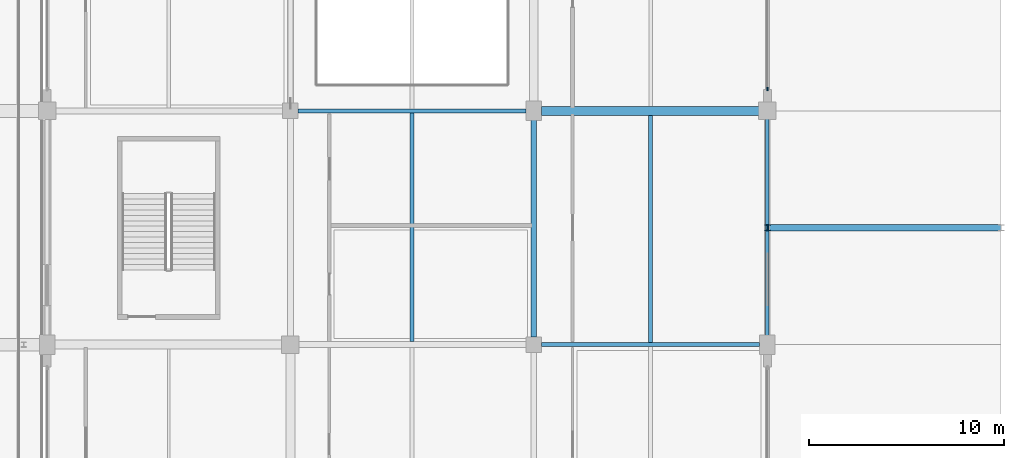
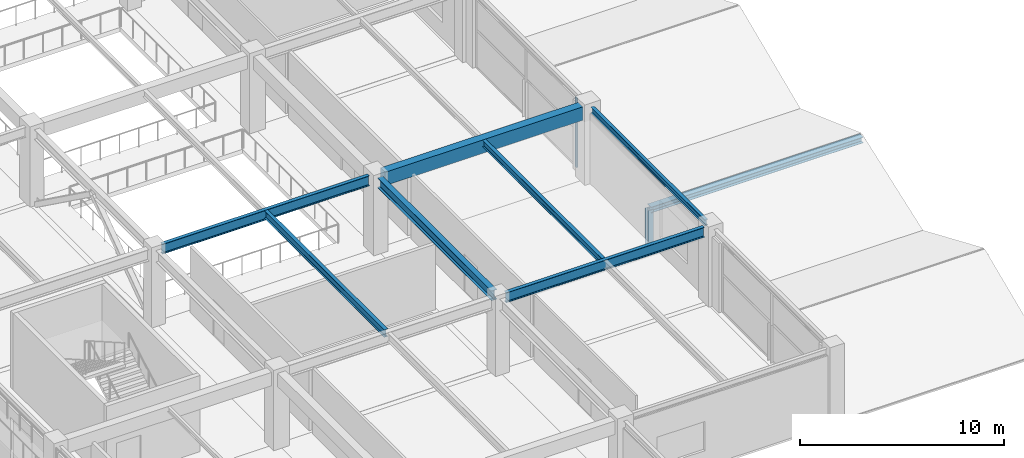
# One storey, part 38 of 134: 7 beams, 3 members, 1 element without a shape of its own.
"""IFC4 building model written with IfcOpenShell, lengths in metres."""

from ifc_helpers import new_model, si_unit, direction, frame, origin, origin_2d, place, context, subcontext, project, spatial, rectangle, i_section, extrude, material, layer, layer_set, material_profile, profile_set, type_object, element, aggregate, save


model = new_model("IFC4")

# Units and contexts
model_context = context("Model", 3, precision=1e-05, world=origin(), true_north=direction((0.0, 1.0)))
body_context = subcontext(model_context, "Body", "Model", "MODEL_VIEW")
ifc_project = project(units=[si_unit("LENGTHUNIT", "METRE"), si_unit("AREAUNIT", "SQUARE_METRE"), si_unit("VOLUMEUNIT", "CUBIC_METRE"), si_unit("PLANEANGLEUNIT", "RADIAN"), si_unit("MASSUNIT", "GRAM", prefix="KILO")], contexts=[model_context])

# Site, building, storey
site_placement = place(None, origin())
site = spatial("IfcSite", under=ifc_project, at=site_placement, CompositionType="ELEMENT")
building_placement = place(site_placement, origin())
building = spatial("IfcBuilding", under=site, at=building_placement, Name="Kazenohara Klinker Stadium", CompositionType="ELEMENT")
storey_placement = place(building_placement, frame((0.0, 0.0, 5.39990234375)))
storey = spatial("IfcBuildingStorey", under=building, at=storey_placement, Name="L01", CompositionType="ELEMENT", Elevation=5.39990234375)

# Beams
ifc_material_1 = material(Name="Steel S355", Category="steel")
ifc_material_profile_1 = material_profile(ifc_material_1, i_section(OverallWidth=0.199951171875, OverallDepth=0.449951171875, WebThickness=0.009033203125, FlangeThickness=0.013916015625, FilletRadius=0.012939453125, at=origin_2d()), Name="H-450x200x9x14")
ifc_profile_set_1 = profile_set([ifc_material_profile_1], Name="Steel S355")
beam_type_1 = type_object("IfcBeamType", Name="BM-JST02", PredefinedType="JOIST", material=ifc_profile_set_1)
beam_1_placement = place(storey_placement, frame((193.75, 48.14990234375, 4.3251953125), z_axis=(0.0, 1.0, 0.0), x_axis=(-1.0, 0.0, 0.0)))
element("IfcBeam", 1, at=beam_1_placement, inside=storey, type_object=beam_type_1, Name="Secondary floor joist SJ02 L01 16/E", PredefinedType="JOIST", context=body_context, shape_type="SweptSolid", body=[
    extrude(i_section(OverallWidth=0.199951171875, OverallDepth=0.449951171875, WebThickness=0.009033203125, FlangeThickness=0.013916015625, FilletRadius=0.012939453125, at=origin_2d()), origin(), (0.0, 0.0, 1.0), 11.75),
])
ifc_material_profile_2 = material_profile(ifc_material_1, i_section(OverallWidth=0.199951171875, OverallDepth=0.39990234375, WebThickness=0.008056640625, FlangeThickness=0.012939453125, FilletRadius=0.012939453125, at=origin_2d()), Name="H-400x200x8x13")
ifc_profile_set_2 = profile_set([ifc_material_profile_2], Name="Steel S355")
beam_type_2 = type_object("IfcBeamType", Name="BM-JST03", PredefinedType="JOIST", material=ifc_profile_set_2)
beam_2_placement = place(storey_placement, frame((206.0, 48.10009765625, 4.35009765625), z_axis=(0.0, 1.0, 0.0), x_axis=(-1.0, 0.0, 0.0)))
element("IfcBeam", 2, at=beam_2_placement, inside=storey, type_object=beam_type_2, Name="Secondary floor joist SJ03 L01 17/E", PredefinedType="JOIST", context=body_context, shape_type="SweptSolid", body=[
    extrude(i_section(OverallWidth=0.199951171875, OverallDepth=0.39990234375, WebThickness=0.008056640625, FlangeThickness=0.012939453125, FilletRadius=0.012939453125, at=origin_2d()), origin(), (0.0, 0.0, 1.0), 11.6748046875),
])
ifc_material_2 = material(Name="Concrete C40/50", Category="concrete")
ifc_material_profile_3 = material_profile(ifc_material_2, rectangle(XDim=0.449951171875, YDim=0.800048828125, at=origin_2d()), Name="RC-BM-450x800")
ifc_profile_set_3 = profile_set([ifc_material_profile_3], Name="Concrete C40/50")
beam_type_3 = type_object("IfcBeamType", Name="BM-RC03", PredefinedType="BEAM", material=ifc_profile_set_3)
beam_3_placement = place(storey_placement, frame((200.39990234375, 60.0, 4.150146484375), z_axis=(1.0, 0.0, 0.0), x_axis=(0.0, 1.0, 0.0)))
element("IfcBeam", 3, at=beam_3_placement, inside=storey, type_object=beam_type_3, Name="Primary girder BG03 L01 17-18/F", PredefinedType="BEAM", context=body_context, shape_type="SweptSolid", body=[
    extrude(rectangle(XDim=0.449951171875, YDim=0.800048828125, at=origin_2d()), origin(), (0.0, 0.0, 1.0), 11.18017578125),
])
ifc_material_profile_4 = material_profile(ifc_material_1, i_section(OverallWidth=0.175048828125, OverallDepth=0.35009765625, WebThickness=0.007080078125, FlangeThickness=0.010986328125, FilletRadius=0.012939453125, at=origin_2d()), Name="H-350x175x7x11")
ifc_profile_set_4 = profile_set([ifc_material_profile_4], Name="Steel S355")
beam_type_4 = type_object("IfcBeamType", Name="BM-SPD02", PredefinedType="SPANDREL", material=ifc_profile_set_4)
beam_4_placement = place(storey_placement, frame((212.0, 48.419921875, 4.375), z_axis=(0.0, 1.0, 0.0), x_axis=(-1.0, 0.0, 0.0)))
element("IfcBeam", 4, at=beam_4_placement, inside=storey, type_object=beam_type_4, Name="Primary girder SP02 L01 18/E-F", PredefinedType="SPANDREL", context=body_context, shape_type="SweptSolid", body=[
    extrude(i_section(OverallWidth=0.175048828125, OverallDepth=0.35009765625, WebThickness=0.007080078125, FlangeThickness=0.010986328125, FilletRadius=0.012939453125, at=origin_2d()), origin(), (0.0, 0.0, 1.0), 11.16015625),
])
ifc_material_profile_5 = material_profile(ifc_material_1, i_section(OverallWidth=0.199951171875, OverallDepth=0.60009765625, WebThickness=0.010986328125, FlangeThickness=0.01708984375, FilletRadius=0.012939453125, at=origin_2d()), Name="H-600x200x11x17")
ifc_profile_set_5 = profile_set([ifc_material_profile_5], Name="Steel S355")
beam_type_5 = type_object("IfcBeamType", Name="BM-ST04", PredefinedType="BEAM", material=ifc_profile_set_5)
beam_5_placement = place(storey_placement, frame((187.89990234375, 60.0, 4.25), z_axis=(1.0, 0.0, 0.0), x_axis=(0.0, 1.0, 0.0)))
element("IfcBeam", 5, at=beam_5_placement, inside=storey, type_object=beam_type_5, Name="Primary girder SB04 L01 16-17/F", PredefinedType="BEAM", context=body_context, shape_type="SweptSolid", body=[
    extrude(i_section(OverallWidth=0.199951171875, OverallDepth=0.60009765625, WebThickness=0.010986328125, FlangeThickness=0.01708984375, FilletRadius=0.012939453125, at=origin_2d()), origin(), (0.0, 0.0, 1.0), 11.7001953125),
])
beam_6_placement = place(storey_placement, frame((200.39990234375, 48.0, 4.25), z_axis=(1.0, 0.0, 0.0), x_axis=(0.0, 1.0, 0.0)))
element("IfcBeam", 6, at=beam_6_placement, inside=storey, type_object=beam_type_5, Name="Primary girder SB04 L01 17-18/E", PredefinedType="BEAM", context=body_context, shape_type="SweptSolid", body=[
    extrude(i_section(OverallWidth=0.199951171875, OverallDepth=0.60009765625, WebThickness=0.010986328125, FlangeThickness=0.01708984375, FilletRadius=0.012939453125, at=origin_2d()), origin(), (0.0, 0.0, 1.0), 11.2001953125),
])
ifc_material_profile_6 = material_profile(ifc_material_1, i_section(OverallWidth=0.300048828125, OverallDepth=0.587890625, WebThickness=0.011962890625, FlangeThickness=0.02001953125, FilletRadius=0.02197265625, at=origin_2d()), Name="H-588x300x12x20")
ifc_profile_set_6 = profile_set([ifc_material_profile_6], Name="Steel S355")
beam_type_6 = type_object("IfcBeamType", Name="BM-ST05", PredefinedType="BEAM", material=ifc_profile_set_6)
beam_7_placement = place(storey_placement, frame((200.0, 48.39990234375, 4.256103515625), z_axis=(0.0, 1.0, 0.0), x_axis=(-1.0, 0.0, 0.0)))
element("IfcBeam", 7, at=beam_7_placement, inside=storey, type_object=beam_type_6, Name="Primary girder SB05 L01 17/E-F", PredefinedType="BEAM", context=body_context, shape_type="SweptSolid", body=[
    extrude(i_section(OverallWidth=0.300048828125, OverallDepth=0.587890625, WebThickness=0.011962890625, FlangeThickness=0.02001953125, FilletRadius=0.02197265625, at=origin_2d()), origin(), (0.0, 0.0, 1.0), 11.18017578125),
])

# Curtain wall, member
ifc_material_3 = material(Name="Anodised aluminium and triple glazing", Category="aluminium")
ifc_layer = layer(ifc_material_3, 0.199951171875)
ifc_layer_set = layer_set([ifc_layer], Name="Anodised aluminium and triple glazing")
curtain_wall_type = type_object("IfcCurtainWallType", Name="CW-SYS-03", PredefinedType="USERDEFINED", material=ifc_layer_set)
curtain_wall_placement = place(storey_placement, origin())
curtain_wall = element("IfcCurtainWall", 8, at=curtain_wall_placement, inside=storey, type_object=curtain_wall_type, Name="Unitised facade curtain wall CW03 L01 Y17-5", ObjectType="UNITISED CURTAIN WALL", PredefinedType="USERDEFINED")
ifc_material_4 = material(Name="Anodised aluminium 6063-T6", Category="aluminium")
ifc_material_profile_7 = material_profile(ifc_material_4, rectangle(XDim=0.06494140625, YDim=0.179931640625, at=origin_2d()), Name="ALU-MUL-65x180")
ifc_profile_set_7 = profile_set([ifc_material_profile_7], Name="Anodised aluminium 6063-T6")
member_type_1 = type_object("IfcMemberType", Name="CW-MUL-180", PredefinedType="MULLION", material=ifc_profile_set_7)
member_1_placement = place(storey_placement, frame((212.0, 61.136474609375, 0.0), z_axis=(0.0, 0.0, 1.0), x_axis=(-1.0, 0.0, 0.0)))
member_1 = element("IfcMember", 9, at=member_1_placement, type_object=member_type_1, Name="CW03 mullion 1", PredefinedType="MULLION", context=body_context, shape_type="SweptSolid", body=[
    extrude(rectangle(XDim=0.06494140625, YDim=0.179931640625, at=origin_2d()), origin(), (0.0, 0.0, 1.0), 4.150146484375),
])
aggregate(curtain_wall, [member_1])

# Members
ifc_material_profile_8 = material_profile(ifc_material_1, i_section(OverallWidth=0.35009765625, OverallDepth=0.35009765625, WebThickness=0.011962890625, FlangeThickness=0.01904296875, FilletRadius=0.012939453125, at=origin_2d()), Name="H-350x350x12x19")
ifc_profile_set_8 = profile_set([ifc_material_profile_8], Name="Steel S355")
member_type_2 = type_object("IfcMemberType", Name="MEM-CHD02", PredefinedType="CHORD", material=ifc_profile_set_8)
member_2_placement = place(storey_placement, frame((212.0, 54.0, 1.830078125), z_axis=(1.0, 0.0, 0.0), x_axis=(0.0, 1.0, 0.0)))
element("IfcMember", 10, at=member_2_placement, inside=storey, type_object=member_type_2, Name="Stepped pavilion gable ridge beam L01 18/E", PredefinedType="CHORD", context=body_context, shape_type="SweptSolid", body=[
    extrude(i_section(OverallWidth=0.35009765625, OverallDepth=0.35009765625, WebThickness=0.011962890625, FlangeThickness=0.01904296875, FilletRadius=0.012939453125, at=origin_2d()), origin(), (0.0, 0.0, 1.0), 12.0),
])
ifc_material_profile_9 = material_profile(ifc_material_1, i_section(OverallWidth=0.300048828125, OverallDepth=0.300048828125, WebThickness=0.010009765625, FlangeThickness=0.014892578125, FilletRadius=0.012939453125, at=origin_2d()), Name="H-300x300x10x15")
ifc_profile_set_9 = profile_set([ifc_material_profile_9], Name="Steel S355")
member_type_3 = type_object("IfcMemberType", Name="MEM-STR01", PredefinedType="STRUT", material=ifc_profile_set_9)
member_3_placement = place(storey_placement, frame((212.0, 54.0, -0.429931640625), z_axis=(0.0, 0.0, 1.0), x_axis=(1.0, 0.0, 0.0)))
element("IfcMember", 11, at=member_3_placement, inside=storey, type_object=member_type_3, Name="Stepped pavilion gable king-post L01 18/E W", PredefinedType="STRUT", context=body_context, shape_type="SweptSolid", body=[
    extrude(i_section(OverallWidth=0.300048828125, OverallDepth=0.300048828125, WebThickness=0.010009765625, FlangeThickness=0.014892578125, FilletRadius=0.012939453125, at=origin_2d()), origin(), (0.0, 0.0, 1.0), 2.260009765625),
])

save(model, "model.ifc")
